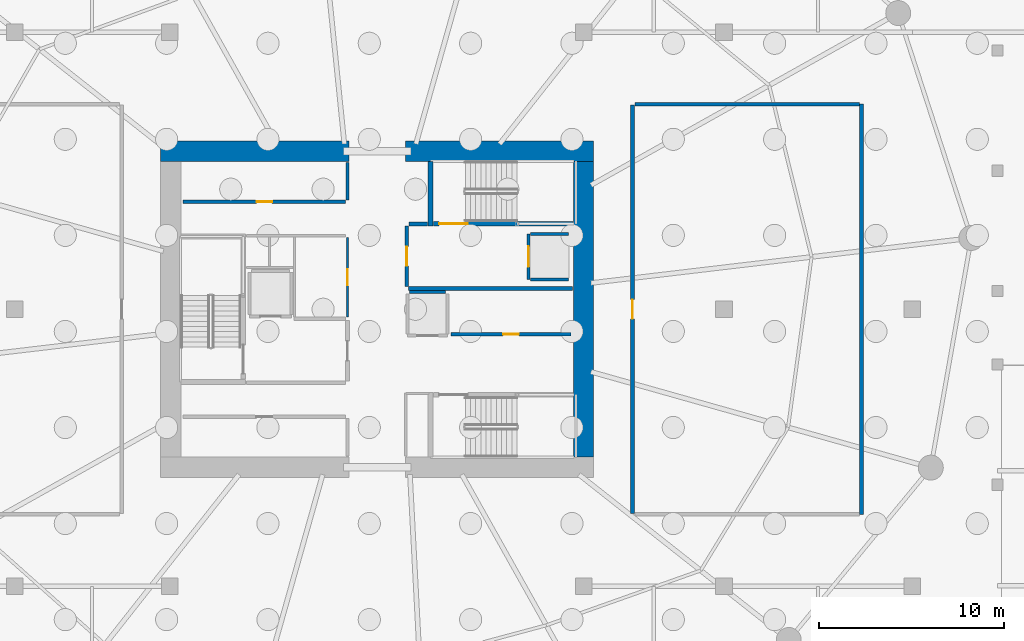
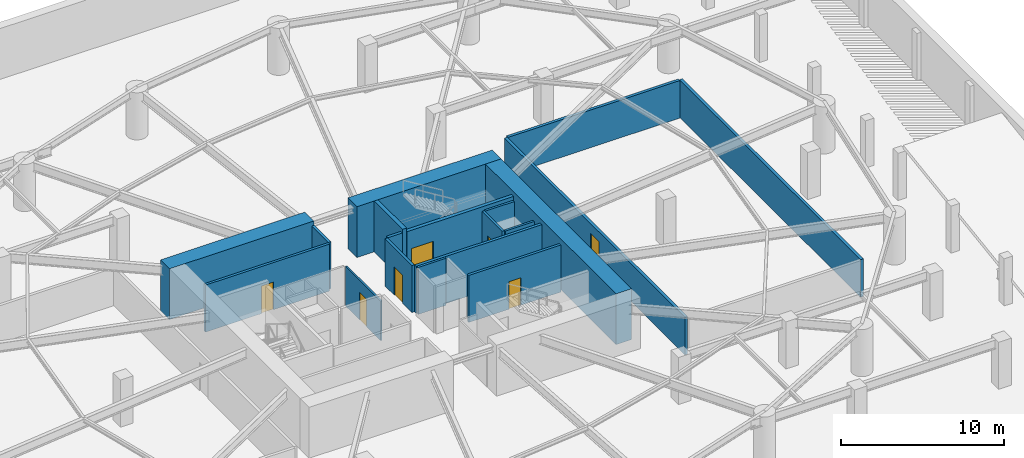
# One storey, part 9 of 12: 19 walls, 7 doors, 7 openings.
"""IFC4 building model written with IfcOpenShell, lengths in metres."""

from ifc_helpers import new_model, si_unit, direction, frame, frame_2d, origin, place, context, subcontext, project, spatial, rectangle, extrude, material, layer, layer_set, type_object, element, fill, save


model = new_model("IFC4")

# Units and contexts
model_context = context("Model", 3, precision=1e-05, world=origin(), true_north=direction((0.0, 1.0)))
body_context = subcontext(model_context, "Body", "Model", "MODEL_VIEW")
ifc_project = project(units=[si_unit("LENGTHUNIT", "METRE"), si_unit("AREAUNIT", "SQUARE_METRE"), si_unit("VOLUMEUNIT", "CUBIC_METRE"), si_unit("PLANEANGLEUNIT", "RADIAN"), si_unit("MASSUNIT", "GRAM", prefix="KILO")], contexts=[model_context])

# Site, building, storey
site_placement = place(None, origin())
site = spatial("IfcSite", under=ifc_project, at=site_placement, CompositionType="ELEMENT")
building_placement = place(site_placement, origin())
building = spatial("IfcBuilding", under=site, at=building_placement, Name="Kazma Halo Residences", CompositionType="ELEMENT")
storey_placement = place(building_placement, frame((0.0, 0.0, -7.60009765625)))
storey = spatial("IfcBuildingStorey", under=building, at=storey_placement, Name="B02", CompositionType="ELEMENT", Elevation=-7.60009765625)

# Walls
ifc_material_1 = material(Name="Concrete C80/95", Category="concrete")
ifc_layer_1 = layer(ifc_material_1, 1.10009765625)
ifc_layer_set_1 = layer_set([ifc_layer_1], Name="Concrete C80/95")
wall_type_1 = type_object("IfcWallType", Name="WL-CORE-1100", PredefinedType="SHEAR", material=ifc_layer_set_1)
for number, where, z_axis, x_axis, name in (
    (1, (36.699951171875, 50.550048828125, 0.0), (0.0, 0.0, 1.0), (1.0, 0.0, 0.0), "B02 central core shear wall NW"),
    (2, (49.949951171875, 50.550048828125, 0.0), (0.0, 0.0, 1.0), (1.0, 0.0, 0.0), "B02 central core shear wall NE"),
):
    element("IfcWall", number, at=place(storey_placement, frame(where, z_axis=z_axis, x_axis=x_axis)), inside=storey, type_object=wall_type_1, Name=name, PredefinedType="SHEAR", context=body_context, shape_type="SweptSolid", body=[
        extrude(rectangle(XDim=10.199951171875, YDim=1.10009765625, at=frame_2d((5.10009765625, 0.0))), origin(), (0.0, 0.0, 1.0), 3.800048828125),
    ])
wall_1_placement = place(storey_placement, frame((59.60009765625, 34.0, 0.0), z_axis=(0.0, 0.0, 1.0), x_axis=(0.0, 1.0, 0.0)))
element("IfcWall", 3, at=wall_1_placement, inside=storey, type_object=wall_type_1, Name="B02 central core shear wall E", PredefinedType="SHEAR", context=body_context, shape_type="SweptSolid", body=[
    extrude(rectangle(XDim=16.0, YDim=1.10009765625, at=frame_2d((8.0, 0.0))), origin(), (0.0, 0.0, 1.0), 3.800048828125),
])
ifc_material_2 = material(Name="Concrete C60/75", Category="concrete")
ifc_layer_2 = layer(ifc_material_2, 0.280029296875)
ifc_layer_set_2 = layer_set([ifc_layer_2], Name="Concrete C60/75")
wall_type_2 = type_object("IfcWallType", Name="WL-CORE-ST-280", PredefinedType="SHEAR", material=ifc_layer_set_2)
wall_2_placement = place(storey_placement, frame((51.31005859375, 46.5, 0.0), z_axis=(0.0, 0.0, 1.0), x_axis=(0.0, 1.0, 0.0)))
element("IfcWall", 4, at=wall_2_placement, inside=storey, type_object=wall_type_2, Name="B02 stairwell bearing wall ST02-W", PredefinedType="SHEAR", context=body_context, shape_type="SweptSolid", body=[
    extrude(rectangle(XDim=3.5, YDim=0.280029296875, at=frame_2d((1.75, 0.0))), origin(), (0.0, 0.0, 1.0), 3.800048828125),
])

# Wall, opening, door
ifc_material_3 = material(Name="Fire-Rated Blockwork Masonry", Category="masonry")
ifc_layer_3 = layer(ifc_material_3, 0.199951171875)
ifc_layer_set_3 = layer_set([ifc_layer_3], Name="Fire-Rated Blockwork Masonry")
wall_type_3 = type_object("IfcWallType", Name="WL-FLB-200", PredefinedType="PARTITIONING", material=ifc_layer_set_3)
wall_3_placement = place(storey_placement, frame((56.6201171875, 46.080078125, 0.0), z_axis=(0.0, 0.0, 1.0), x_axis=(0.0, -1.0, 0.0)))
wall_3 = element("IfcWall", 5, at=wall_3_placement, inside=storey, type_object=wall_type_3, Name="B02 lift shaft FL-02 front wall", PredefinedType="PARTITIONING", context=body_context, shape_type="SweptSolid", body=[
    extrude(rectangle(XDim=2.4599609375, YDim=0.159912109375, at=frame_2d((1.22998046875, 0.0))), origin(), (0.0, 0.0, 1.0), 3.52001953125),
])
opening_1_placement = place(wall_3_placement, frame((0.679931640625, 0.0, 0.0)))
opening_1 = element("IfcOpeningElement", 6, at=opening_1_placement, cuts=wall_3, Name="Opening LD-FL-02", PredefinedType="OPENING", context=body_context, shape_type="SweptSolid", body=[
    extrude(rectangle(XDim=1.10009765625, YDim=2.10009765625, at=frame_2d((0.550048828125, 1.050048828125))), frame((0.0, 0.08984375, 0.0), z_axis=(0.0, -1.0, 0.0), x_axis=(1.0, 0.0, 0.0)), (0.0, 0.0, 1.0), 0.179931640625),
])
ifc_material_4 = material(Name="Stainless Steel Fire-Rated", Category="steel")
door_type_1 = type_object("IfcDoorType", Name="DR-LIFT-SLD-1100", OperationType="DOUBLE_DOOR_SLIDING", PredefinedType="DOOR", material=ifc_material_4)
door_1_placement = place(opening_1_placement, origin())
door_1 = element("IfcDoor", 7, at=door_1_placement, inside=storey, type_object=door_type_1, Name="B02 lift FL-02 sliding landing door", OperationType="DOUBLE_DOOR_SLIDING", OverallHeight=2.10009765625, OverallWidth=1.10009765625, PredefinedType="DOOR", context=body_context, shape_type="SweptSolid", body=[
    extrude(rectangle(XDim=1.10009765625, YDim=2.10009765625, at=frame_2d((0.550048828125, 1.050048828125))), frame((0.0, 0.02490234375, 0.0), z_axis=(0.0, -1.0, 0.0), x_axis=(1.0, 0.0, 0.0)), (0.0, 0.0, 1.0), 0.050048828125),
])
fill(opening_1, door_1)

# Walls
for number, where, z_axis, x_axis, name in (
    (8, (56.719970703125, 46.080078125, 0.0), (0.0, 0.0, 1.0), (1.0, 0.0, 0.0), "B02 lift shaft FL-02 side wall N"),
    (9, (56.719970703125, 43.6201171875, 0.0), (0.0, 0.0, 1.0), (1.0, 0.0, 0.0), "B02 lift shaft FL-02 side wall S"),
):
    element("IfcWall", number, at=place(storey_placement, frame(where, z_axis=z_axis, x_axis=x_axis)), inside=storey, type_object=wall_type_3, Name=name, PredefinedType="PARTITIONING", context=body_context, shape_type="SweptSolid", body=[
        extrude(rectangle(XDim=2.06005859375, YDim=0.159912109375, at=frame_2d((1.030029296875, 0.0))), origin(), (0.0, 0.0, 1.0), 3.52001953125),
    ])
wall_4_placement = place(storey_placement, frame((50.169921875, 42.929931640625, 0.0), z_axis=(0.0, 0.0, 1.0), x_axis=(1.0, 0.0, 0.0)))
element("IfcWall", 10, at=wall_4_placement, inside=storey, type_object=wall_type_3, Name="B02 lift shaft SV-01 side wall N", PredefinedType="PARTITIONING", context=body_context, shape_type="SweptSolid", body=[
    extrude(rectangle(XDim=1.9599609375, YDim=0.159912109375, at=frame_2d((0.97998046875, 0.0))), origin(), (0.0, 0.0, 1.0), 3.52001953125),
])

# Wall, opening, door
wall_5_placement = place(storey_placement, frame((37.919921875, 47.820068359375, 0.0), z_axis=(0.0, 0.0, 1.0), x_axis=(1.0, 0.0, 0.0)))
wall_5 = element("IfcWall", 11, at=wall_5_placement, inside=storey, type_object=wall_type_3, Name="B02 core north reserve wall", PredefinedType="PARTITIONING", context=body_context, shape_type="SweptSolid", body=[
    extrude(rectangle(XDim=8.800048828125, YDim=0.179931640625, at=frame_2d((4.39990234375, 0.0))), origin(), (0.0, 0.0, 1.0), 3.52001953125),
])
opening_2_placement = place(wall_5_placement, frame((3.97509765625, 0.0, 0.0)))
opening_2 = element("IfcOpeningElement", 12, at=opening_2_placement, cuts=wall_5, Name="Opening DS-850", PredefinedType="OPENING", context=body_context, shape_type="SweptSolid", body=[
    extrude(rectangle(XDim=0.85009765625, YDim=2.06005859375, at=frame_2d((0.425048828125, 1.030029296875))), frame((0.0, 0.099853515625, 0.0), z_axis=(0.0, -1.0, 0.0), x_axis=(1.0, 0.0, 0.0)), (0.0, 0.0, 1.0), 0.199951171875),
])
ifc_material_5 = material(Name="Painted Steel Access Leaf", Category="steel")
door_type_2 = type_object("IfcDoorType", Name="DR-SVC-850", OperationType="NOTDEFINED", PredefinedType="DOOR", material=ifc_material_5)
door_2_placement = place(opening_2_placement, origin())
door_2 = element("IfcDoor", 13, at=door_2_placement, inside=storey, type_object=door_type_2, Name="B02 core north reserve door", OperationType="SINGLE_SWING_RIGHT", OverallHeight=2.06005859375, OverallWidth=0.85009765625, PredefinedType="DOOR", context=body_context, shape_type="SweptSolid", body=[
    extrude(rectangle(XDim=0.85009765625, YDim=2.06005859375, at=frame_2d((0.425048828125, 1.030029296875))), frame((0.0, 0.02490234375, 0.0), z_axis=(0.0, -1.0, 0.0), x_axis=(1.0, 0.0, 0.0)), (0.0, 0.0, 1.0), 0.050048828125),
])
fill(opening_2, door_2)

# Wall
wall_6_placement = place(storey_placement, frame((46.820068359375, 47.919921875, 0.0), z_axis=(0.0, 0.0, 1.0), x_axis=(0.0, 1.0, 0.0)))
element("IfcWall", 14, at=wall_6_placement, inside=storey, type_object=wall_type_3, Name="B02 core smoke east wall", PredefinedType="PARTITIONING", context=body_context, shape_type="SweptSolid", body=[
    extrude(rectangle(XDim=2.030029296875, YDim=0.179931640625, at=frame_2d((1.01513671875, 0.0))), origin(), (0.0, 0.0, 1.0), 3.52001953125),
])

# Wall, opening, door
wall_7_placement = place(storey_placement, frame((52.419921875, 40.64990234375, 0.0), z_axis=(0.0, 0.0, 1.0), x_axis=(1.0, 0.0, 0.0)))
wall_7 = element("IfcWall", 15, at=wall_7_placement, inside=storey, type_object=wall_type_3, Name="B02 core east reserve wall", PredefinedType="PARTITIONING", context=body_context, shape_type="SweptSolid", body=[
    extrude(rectangle(XDim=6.5, YDim=0.179931640625, at=frame_2d((3.25, 0.0))), origin(), (0.0, 0.0, 1.0), 3.52001953125),
])
opening_3_placement = place(wall_7_placement, frame((2.824951171875, 0.0, 0.0)))
opening_3 = element("IfcOpeningElement", 16, at=opening_3_placement, cuts=wall_7, Name="Opening DS-850", PredefinedType="OPENING", context=body_context, shape_type="SweptSolid", body=[
    extrude(rectangle(XDim=0.85009765625, YDim=2.06005859375, at=frame_2d((0.425048828125, 1.030029296875))), frame((0.0, 0.099853515625, 0.0), z_axis=(0.0, -1.0, 0.0), x_axis=(1.0, 0.0, 0.0)), (0.0, 0.0, 1.0), 0.199951171875),
])
door_3_placement = place(opening_3_placement, origin())
door_3 = element("IfcDoor", 17, at=door_3_placement, inside=storey, type_object=door_type_2, Name="B02 core east reserve door", OperationType="SINGLE_SWING_LEFT", OverallHeight=2.06005859375, OverallWidth=0.85009765625, PredefinedType="DOOR", context=body_context, shape_type="SweptSolid", body=[
    extrude(rectangle(XDim=0.85009765625, YDim=2.06005859375, at=frame_2d((0.425048828125, 1.030029296875))), frame((0.0, 0.02490234375, 0.0), z_axis=(0.0, -1.0, 0.0), x_axis=(1.0, 0.0, 0.0)), (0.0, 0.0, 1.0), 0.050048828125),
])
fill(opening_3, door_3)

# Walls
wall_8_placement = place(storey_placement, frame((50.1201171875, 43.1201171875, 0.0), z_axis=(0.0, 0.0, 1.0), x_axis=(1.0, 0.0, 0.0)))
element("IfcWall", 18, at=wall_8_placement, inside=storey, type_object=wall_type_3, Name="B02 east firefighting lobby south smoke wall", PredefinedType="PARTITIONING", context=body_context, shape_type="SweptSolid", body=[
    extrude(rectangle(XDim=8.8798828125, YDim=0.199951171875, at=frame_2d((4.43994140625, 0.0))), origin(), (0.0, 0.0, 1.0), 3.52001953125),
])
wall_9_placement = place(storey_placement, frame((50.139892578125, 46.6201171875, 0.0), z_axis=(0.0, 0.0, 1.0), x_axis=(1.0, 0.0, 0.0)))
element("IfcWall", 19, at=wall_9_placement, inside=storey, type_object=wall_type_3, Name="B02 east firefighting lobby north closure wall", PredefinedType="PARTITIONING", context=body_context, shape_type="SweptSolid", body=[
    extrude(rectangle(XDim=1.02001953125, YDim=0.199951171875, at=frame_2d((0.510009765625, 0.0))), origin(), (0.0, 0.0, 1.0), 3.52001953125),
])

# Wall, opening, door
wall_10_placement = place(storey_placement, frame((50.02001953125, 43.219970703125, 0.0), z_axis=(0.0, 0.0, 1.0), x_axis=(0.0, 1.0, 0.0)))
wall_10 = element("IfcWall", 20, at=wall_10_placement, inside=storey, type_object=wall_type_3, Name="B02 east firefighting lobby smoke wall", PredefinedType="PARTITIONING", context=body_context, shape_type="SweptSolid", body=[
    extrude(rectangle(XDim=3.300048828125, YDim=0.199951171875, at=frame_2d((1.64990234375, 0.0))), origin(), (0.0, 0.0, 1.0), 3.52001953125),
])
opening_4_placement = place(wall_10_placement, frame((1.125, 0.0, 0.0)))
opening_4 = element("IfcOpeningElement", 21, at=opening_4_placement, cuts=wall_10, Name="Opening D-FLE", PredefinedType="OPENING", context=body_context, shape_type="SweptSolid", body=[
    extrude(rectangle(XDim=1.050048828125, YDim=2.10009765625, at=frame_2d((0.52490234375, 1.050048828125))), frame((0.0, 0.10986328125, 0.0), z_axis=(0.0, -1.0, 0.0), x_axis=(1.0, 0.0, 0.0)), (0.0, 0.0, 1.0), 0.219970703125),
])
ifc_material_6 = material(Name="Fire-Rated Steel Leaf", Category="steel")
door_type_3 = type_object("IfcDoorType", Name="DR-FD90-1050", OperationType="NOTDEFINED", PredefinedType="DOOR", material=ifc_material_6)
door_4_placement = place(opening_4_placement, origin())
door_4 = element("IfcDoor", 22, at=door_4_placement, inside=storey, type_object=door_type_3, Name="B02 east firefighting lobby smoke door", OperationType="SINGLE_SWING_RIGHT", OverallHeight=2.10009765625, OverallWidth=1.050048828125, PredefinedType="DOOR", context=body_context, shape_type="SweptSolid", body=[
    extrude(rectangle(XDim=1.050048828125, YDim=2.10009765625, at=frame_2d((0.52490234375, 1.050048828125))), frame((0.0, 0.02490234375, 0.0), z_axis=(0.0, -1.0, 0.0), x_axis=(1.0, 0.0, 0.0)), (0.0, 0.0, 1.0), 0.050048828125),
])
fill(opening_4, door_4)

# Walls
wall_11_placement = place(storey_placement, frame((74.64990234375, 30.89990234375, 0.0), z_axis=(0.0, 0.0, 1.0), x_axis=(0.0, 1.0, 0.0)))
element("IfcWall", 23, at=wall_11_placement, inside=storey, type_object=wall_type_3, Name="B02 east pump plant east wall", PredefinedType="PARTITIONING", context=body_context, shape_type="SweptSolid", body=[
    extrude(rectangle(XDim=22.2001953125, YDim=0.199951171875, at=frame_2d((11.10009765625, 0.0))), origin(), (0.0, 0.0, 1.0), 2.81103515625),
])
wall_12_placement = place(storey_placement, frame((62.3701171875, 53.10009765625, 0.0), z_axis=(0.0, 0.0, 1.0), x_axis=(1.0, 0.0, 0.0)))
element("IfcWall", 24, at=wall_12_placement, inside=storey, type_object=wall_type_3, Name="B02 east pump plant north wall", PredefinedType="PARTITIONING", context=body_context, shape_type="SweptSolid", body=[
    extrude(rectangle(XDim=12.159912109375, YDim=0.199951171875, at=frame_2d((6.080078125, 0.0))), origin(), (0.0, 0.0, 1.0), 2.81103515625),
])

# Wall, opening, door
wall_13_placement = place(storey_placement, frame((62.25, 30.949951171875, 0.0), z_axis=(0.0, 0.0, 1.0), x_axis=(0.0, 1.0, 0.0)))
wall_13 = element("IfcWall", 25, at=wall_13_placement, inside=storey, type_object=wall_type_3, Name="B02 basement plant room E fire wall", PredefinedType="PARTITIONING", context=body_context, shape_type="SweptSolid", body=[
    extrude(rectangle(XDim=22.10009765625, YDim=0.199951171875, at=frame_2d((11.050048828125, 0.0))), origin(), (0.0, 0.0, 1.0), 2.81103515625),
])
opening_5_placement = place(wall_13_placement, frame((10.52490234375, 0.0, 0.0)))
opening_5 = element("IfcOpeningElement", 26, at=opening_5_placement, cuts=wall_13, Name="Opening DF-1050", PredefinedType="OPENING", context=body_context, shape_type="SweptSolid", body=[
    extrude(rectangle(XDim=1.050048828125, YDim=2.10009765625, at=frame_2d((0.52490234375, 1.050048828125))), frame((0.0, 0.10986328125, 0.0), z_axis=(0.0, -1.0, 0.0), x_axis=(1.0, 0.0, 0.0)), (0.0, 0.0, 1.0), 0.219970703125),
])
door_5_placement = place(opening_5_placement, origin())
door_5 = element("IfcDoor", 27, at=door_5_placement, inside=storey, type_object=door_type_3, Name="B02 basement plant E personnel door", OperationType="SINGLE_SWING_RIGHT", OverallHeight=2.10009765625, OverallWidth=1.050048828125, PredefinedType="DOOR", context=body_context, shape_type="SweptSolid", body=[
    extrude(rectangle(XDim=1.050048828125, YDim=2.10009765625, at=frame_2d((0.52490234375, 1.050048828125))), frame((0.0, 0.02490234375, 0.0), z_axis=(0.0, -1.0, 0.0), x_axis=(1.0, 0.0, 0.0)), (0.0, 0.0, 1.0), 0.050048828125),
])
fill(opening_5, door_5)

ifc_material_7 = material(Name="Gypsum Plasterboard Partition")
ifc_layer_4 = layer(ifc_material_7, 0.125)
ifc_layer_set_4 = layer_set([ifc_layer_4], Name="Gypsum Plasterboard Partition")
wall_type_4 = type_object("IfcWallType", Name="WL-PART-125", PredefinedType="PARTITIONING", material=ifc_layer_set_4)
wall_14_placement = place(storey_placement, frame((46.820068359375, 41.580078125, 0.0), z_axis=(0.0, 0.0, 1.0), x_axis=(0.0, 1.0, 0.0)))
wall_14 = element("IfcWall", 28, at=wall_14_placement, inside=storey, type_object=wall_type_4, Name="B02 core service room east wall", PredefinedType="PARTITIONING", context=body_context, shape_type="SweptSolid", body=[
    extrude(rectangle(XDim=4.2998046875, YDim=0.125, at=frame_2d((2.14990234375, 0.0))), origin(), (0.0, 0.0, 1.0), 2.960205078125),
])
opening_6_placement = place(wall_14_placement, frame((1.72509765625, 0.0, 0.0)))
opening_6 = element("IfcOpeningElement", 29, at=opening_6_placement, cuts=wall_14, Name="Opening DS-850", PredefinedType="OPENING", context=body_context, shape_type="SweptSolid", body=[
    extrude(rectangle(XDim=0.85009765625, YDim=2.06005859375, at=frame_2d((0.425048828125, 1.030029296875))), frame((0.0, 0.072509765625, 0.0), z_axis=(0.0, -1.0, 0.0), x_axis=(1.0, 0.0, 0.0)), (0.0, 0.0, 1.0), 0.14501953125),
])
door_6_placement = place(opening_6_placement, origin())
door_6 = element("IfcDoor", 30, at=door_6_placement, inside=storey, type_object=door_type_2, Name="B02 core service room door", OperationType="SINGLE_SWING_LEFT", OverallHeight=2.06005859375, OverallWidth=0.85009765625, PredefinedType="DOOR", context=body_context, shape_type="SweptSolid", body=[
    extrude(rectangle(XDim=0.85009765625, YDim=2.06005859375, at=frame_2d((0.425048828125, 1.030029296875))), frame((0.0, 0.02490234375, 0.0), z_axis=(0.0, -1.0, 0.0), x_axis=(1.0, 0.0, 0.0)), (0.0, 0.0, 1.0), 0.050048828125),
])
fill(opening_6, door_6)

ifc_material_8 = material(Name="Concrete C50/60", Category="concrete")
ifc_layer_5 = layer(ifc_material_8, 0.25)
ifc_layer_set_5 = layer_set([ifc_layer_5], Name="Concrete C50/60")
wall_type_5 = type_object("IfcWallType", Name="WL-SHF-250", PredefinedType="SOLIDWALL", material=ifc_layer_set_5)
wall_15_placement = place(storey_placement, frame((51.47998046875, 46.6201171875, 0.0), z_axis=(0.0, 0.0, 1.0), x_axis=(1.0, 0.0, 0.0)))
wall_15 = element("IfcWall", 31, at=wall_15_placement, inside=storey, type_object=wall_type_5, Name="B02 exit stair ST-02 enclosure wall", PredefinedType="SOLIDWALL", context=body_context, shape_type="SweptSolid", body=[
    extrude(rectangle(XDim=7.5400390625, YDim=0.25, at=frame_2d((3.77001953125, 0.0))), origin(), (0.0, 0.0, 1.0), 3.52001953125),
])
opening_7_placement = place(wall_15_placement, frame((0.300048828125, 0.0, 0.0)))
opening_7 = element("IfcOpeningElement", 32, at=opening_7_placement, cuts=wall_15, Name="Opening D-ST2", PredefinedType="OPENING", context=body_context, shape_type="SweptSolid", body=[
    extrude(rectangle(XDim=1.550048828125, YDim=2.14990234375, at=frame_2d((0.77490234375, 1.074951171875))), frame((0.0, 0.135009765625, 0.0), z_axis=(0.0, -1.0, 0.0), x_axis=(1.0, 0.0, 0.0)), (0.0, 0.0, 1.0), 0.27001953125),
])
ifc_material_9 = material(Name="Fire-Rated Double Steel Leaf", Category="steel")
door_type_4 = type_object("IfcDoorType", Name="DR-FD90-1550", OperationType="NOTDEFINED", PredefinedType="DOOR", material=ifc_material_9)
door_7_placement = place(opening_7_placement, origin())
door_7 = element("IfcDoor", 33, at=door_7_placement, inside=storey, type_object=door_type_4, Name="B02 exit stair ST-02 fire door", OperationType="DOUBLE_DOOR_SINGLE_SWING", OverallHeight=2.14990234375, OverallWidth=1.550048828125, PredefinedType="DOOR", context=body_context, shape_type="SweptSolid", body=[
    extrude(rectangle(XDim=1.550048828125, YDim=2.14990234375, at=frame_2d((0.77490234375, 1.074951171875))), frame((0.0, 0.02490234375, 0.0), z_axis=(0.0, -1.0, 0.0), x_axis=(1.0, 0.0, 0.0)), (0.0, 0.0, 1.0), 0.050048828125),
])
fill(opening_7, door_7)

save(model, "model.ifc")
